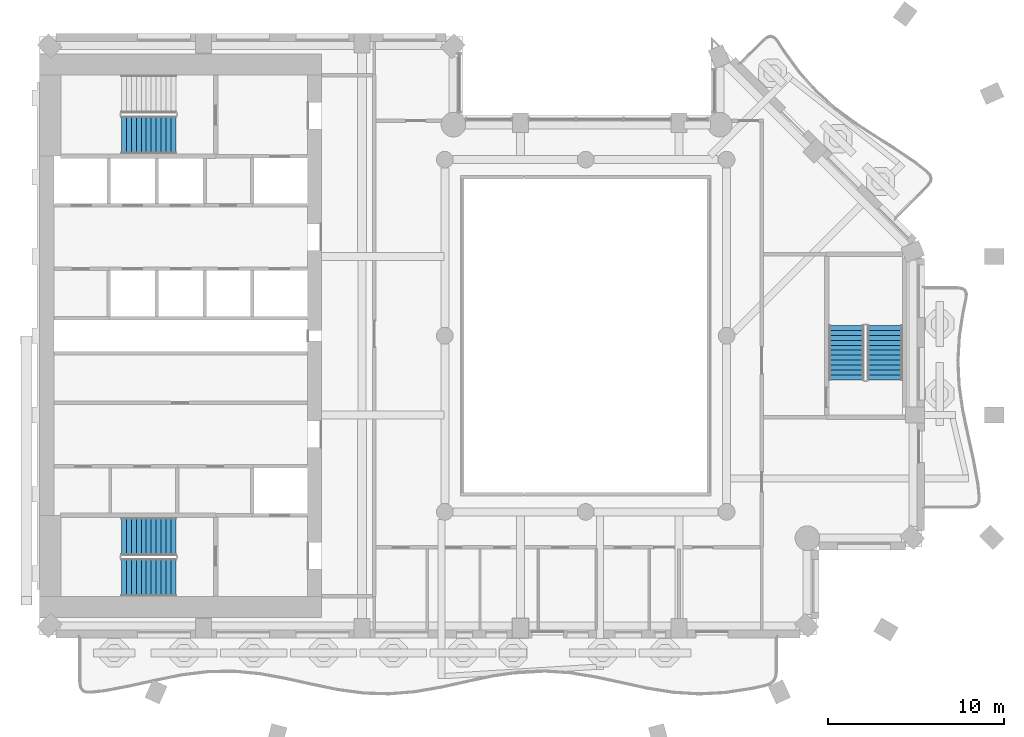
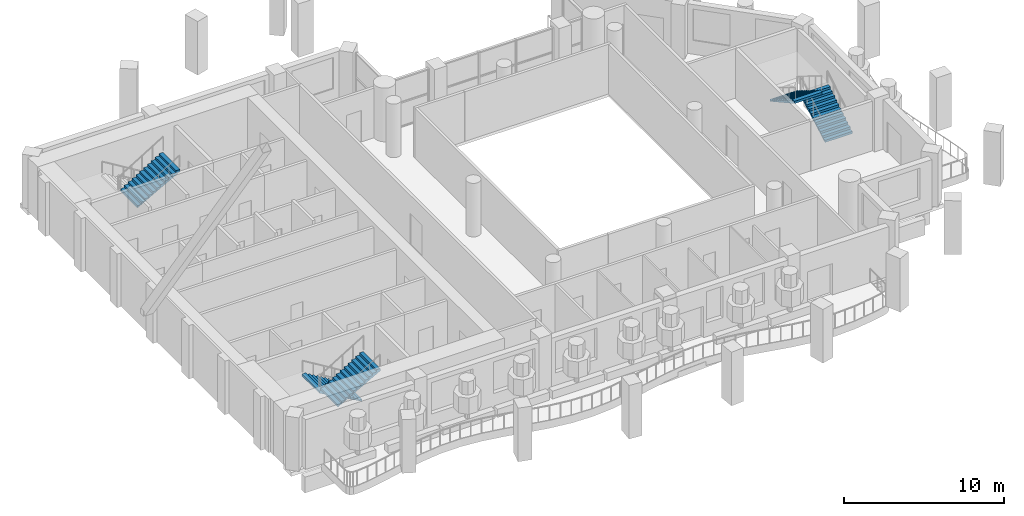
# One storey, part 9 of 16: 5 stair flights, 3 elements without a shape of their own.
"""IFC4 building model written with IfcOpenShell, lengths in metres."""

from ifc_helpers import new_model, si_unit, direction, frame, origin, place, context, subcontext, project, spatial, triangles, material, type_object, element, aggregate, save


model = new_model("IFC4")

# Units and contexts
model_context = context("Model", 3, precision=1e-05, world=origin(), true_north=direction((0.0, 1.0)))
body_context = subcontext(model_context, "Body", "Model", "MODEL_VIEW")
ifc_project = project(units=[si_unit("LENGTHUNIT", "METRE"), si_unit("AREAUNIT", "SQUARE_METRE"), si_unit("VOLUMEUNIT", "CUBIC_METRE"), si_unit("PLANEANGLEUNIT", "RADIAN"), si_unit("MASSUNIT", "GRAM", prefix="KILO")], contexts=[model_context])

# Site, building, storey
site_placement = place(None, origin())
site = spatial("IfcSite", under=ifc_project, at=site_placement, CompositionType="ELEMENT")
building_placement = place(site_placement, origin())
building = spatial("IfcBuilding", under=site, at=building_placement, Name="Cypress Arch Tower", CompositionType="ELEMENT")
storey_placement = place(building_placement, frame((0.0, 0.0, 172.800048828125)))
storey = spatial("IfcBuildingStorey", under=building, at=storey_placement, Name="L37", CompositionType="ELEMENT", Elevation=172.800048828125)

# Stair, stair flights
ifc_material_1 = material(Name="Concrete C40/50", Category="concrete")
stair_type_1 = type_object("IfcStairType", Name="Exit stair ES1708-200", PredefinedType="HALF_TURN_STAIR", material=ifc_material_1)
stair_1_placement = place(storey_placement, origin())
stair_1 = element("IfcStair", 1, at=stair_1_placement, inside=storey, type_object=stair_type_1, Name="L37 Exit stair C", PredefinedType="HALF_TURN_STAIR")
ifc_material_2 = material(Name="Concrete C40/50", Category="concrete")
stair_flight_type_1 = type_object("IfcStairFlightType", Name="Exit stair flight ES1708-200", PredefinedType="STRAIGHT", material=ifc_material_2)
stair_flight_1_placement = place(storey_placement, frame((18.0, -2.5, 0.0), z_axis=(0.0, 0.0, 1.0), x_axis=(0.0, 1.0, 0.0)))
stair_flight_1 = element("IfcStairFlight", 2, at=stair_flight_1_placement, type_object=stair_flight_type_1, Name="C flight 1", NumberOfRisers=12, NumberOfTreads=11, PredefinedType="STRAIGHT", RiserHeight=0.170833333, TreadLength=0.28, context=body_context, shape_type="Tessellation", body=[
    triangles([(0.0, -1.0, 0.0), (0.0, -1.0, 0.1708984375), (0.280029296875, -1.0, 0.1708984375), (0.280029296875, -1.0, 0.341552734375), (0.56005859375, -1.0, 0.341552734375), (0.56005859375, -1.0, 0.512451171875), (0.840087890625, -1.0, 0.512451171875), (0.840087890625, -1.0, 0.683349609375), (1.1201171875, -1.0, 0.683349609375), (1.1201171875, -1.0, 0.854248046875), (1.39990234375, -1.0, 0.854248046875), (1.39990234375, -1.0, 1.02490234375), (1.679931640625, -1.0, 1.02490234375), (1.679931640625, -1.0, 1.19580078125), (1.9599609375, -1.0, 1.19580078125), (1.9599609375, -1.0, 1.36669921875), (2.239990234375, -1.0, 1.36669921875), (2.239990234375, -1.0, 1.53759765625), (2.52001953125, -1.0, 1.53759765625), (2.52001953125, -1.0, 1.708251953125), (2.800048828125, -1.0, 1.708251953125), (2.800048828125, -1.0, 1.879150390625), (3.080078125, -1.0, 1.879150390625), (3.080078125, -1.0, 1.70361328125), (3.080078125, 1.0, 1.70361328125), (3.080078125, 1.0, 1.879150390625), (2.800048828125, 1.0, 1.879150390625), (2.800048828125, 1.0, 1.708251953125), (2.52001953125, 1.0, 1.708251953125), (2.52001953125, 1.0, 1.53759765625), (2.239990234375, 1.0, 1.53759765625), (2.239990234375, 1.0, 1.36669921875), (1.9599609375, 1.0, 1.36669921875), (1.9599609375, 1.0, 1.19580078125), (1.679931640625, 1.0, 1.19580078125), (1.679931640625, 1.0, 1.02490234375), (1.39990234375, 1.0, 1.02490234375), (1.39990234375, 1.0, 0.854248046875), (1.1201171875, 1.0, 0.854248046875), (1.1201171875, 1.0, 0.683349609375), (0.840087890625, 1.0, 0.683349609375), (0.840087890625, 1.0, 0.512451171875), (0.56005859375, 1.0, 0.512451171875), (0.56005859375, 1.0, 0.341552734375), (0.280029296875, 1.0, 0.341552734375), (0.280029296875, 1.0, 0.1708984375), (0.0, 1.0, 0.1708984375), (0.0, 1.0, 0.0), (3.080078125, 0.0, 1.879150390625), (3.080078125, 0.0, 1.70361328125), (2.800048828125, 0.0, 1.879150390625), (2.800048828125, 0.0, 1.708251953125), (2.52001953125, 0.0, 1.708251953125), (2.52001953125, 0.0, 1.53759765625), (2.239990234375, 0.0, 1.53759765625), (2.239990234375, 0.0, 1.36669921875), (1.9599609375, 0.0, 1.36669921875), (1.9599609375, 0.0, 1.19580078125), (1.679931640625, 0.0, 1.19580078125), (1.679931640625, 0.0, 1.02490234375), (1.39990234375, 0.0, 1.02490234375), (1.39990234375, 0.0, 0.854248046875), (1.1201171875, 0.0, 0.854248046875), (1.1201171875, 0.0, 0.683349609375), (0.840087890625, 0.0, 0.683349609375), (0.840087890625, 0.0, 0.512451171875), (0.56005859375, 0.0, 0.512451171875), (0.56005859375, 0.0, 0.341552734375), (0.280029296875, 0.0, 0.341552734375), (0.280029296875, 0.0, 0.1708984375), (0.0, 0.0, 0.1708984375), (0.0, 0.0, 0.0)], [[24, 23, 22], [11, 10, 9], [19, 18, 17], [17, 16, 15], [15, 14, 13], [9, 8, 7], [7, 6, 5], [3, 2, 1], [21, 20, 19], [13, 12, 11], [5, 4, 3], [24, 22, 21], [24, 21, 19], [24, 19, 17], [24, 17, 15], [24, 15, 13], [24, 13, 11], [24, 11, 9], [24, 9, 7], [24, 7, 5], [1, 24, 5], [5, 3, 1], [25, 27, 26], [38, 40, 39], [30, 32, 31], [32, 34, 33], [34, 36, 35], [40, 42, 41], [42, 44, 43], [46, 48, 47], [28, 30, 29], [36, 38, 37], [44, 46, 45], [25, 28, 27], [25, 30, 28], [25, 32, 30], [25, 34, 32], [25, 36, 34], [25, 38, 36], [25, 40, 38], [25, 42, 40], [25, 44, 42], [48, 44, 25], [44, 48, 46], [50, 49, 23], [50, 23, 24], [25, 26, 49], [25, 49, 50], [49, 51, 22], [49, 22, 23], [26, 27, 51], [26, 51, 49], [51, 52, 21], [51, 21, 22], [27, 28, 52], [27, 52, 51], [52, 53, 20], [52, 20, 21], [28, 29, 53], [28, 53, 52], [53, 54, 19], [53, 19, 20], [29, 30, 54], [29, 54, 53], [54, 55, 18], [54, 18, 19], [30, 31, 55], [30, 55, 54], [55, 56, 17], [55, 17, 18], [31, 32, 56], [31, 56, 55], [56, 57, 16], [56, 16, 17], [32, 33, 57], [32, 57, 56], [57, 58, 15], [57, 15, 16], [33, 34, 58], [33, 58, 57], [58, 59, 14], [58, 14, 15], [34, 35, 59], [34, 59, 58], [59, 60, 13], [59, 13, 14], [35, 36, 60], [35, 60, 59], [60, 61, 12], [60, 12, 13], [36, 37, 61], [36, 61, 60], [61, 62, 11], [61, 11, 12], [37, 38, 62], [37, 62, 61], [62, 63, 10], [62, 10, 11], [38, 39, 63], [38, 63, 62], [63, 64, 9], [63, 9, 10], [39, 40, 64], [39, 64, 63], [64, 65, 8], [64, 8, 9], [40, 41, 65], [40, 65, 64], [65, 66, 7], [65, 7, 8], [41, 42, 66], [41, 66, 65], [66, 67, 6], [66, 6, 7], [42, 43, 67], [42, 67, 66], [67, 68, 5], [67, 5, 6], [43, 44, 68], [43, 68, 67], [68, 69, 4], [68, 4, 5], [44, 45, 69], [44, 69, 68], [69, 70, 3], [69, 3, 4], [45, 46, 70], [45, 70, 69], [70, 71, 2], [70, 2, 3], [46, 47, 71], [46, 71, 70], [71, 72, 1], [71, 1, 2], [47, 48, 72], [47, 72, 71], [72, 50, 24], [72, 24, 1], [48, 25, 50], [48, 50, 72]], closed=True),
])
stair_flight_2_placement = place(storey_placement, frame((15.800048828125, 0.580078125, 2.050048828125), z_axis=(0.0, 0.0, 1.0), x_axis=(0.0, -1.0, 0.0)))
stair_flight_2 = element("IfcStairFlight", 3, at=stair_flight_2_placement, type_object=stair_flight_type_1, Name="C flight 2", NumberOfRisers=12, NumberOfTreads=11, PredefinedType="STRAIGHT", RiserHeight=0.170833333, TreadLength=0.28, context=body_context, shape_type="Tessellation", body=[
    triangles([(0.0, -1.0, 0.0), (0.0, -1.0, 0.1708984375), (0.280029296875, -1.0, 0.1708984375), (0.280029296875, -1.0, 0.341552734375), (0.56005859375, -1.0, 0.341552734375), (0.56005859375, -1.0, 0.512451171875), (0.840087890625, -1.0, 0.512451171875), (0.840087890625, -1.0, 0.683349609375), (1.1201171875, -1.0, 0.683349609375), (1.1201171875, -1.0, 0.854248046875), (1.39990234375, -1.0, 0.854248046875), (1.39990234375, -1.0, 1.02490234375), (1.679931640625, -1.0, 1.02490234375), (1.679931640625, -1.0, 1.19580078125), (1.9599609375, -1.0, 1.19580078125), (1.9599609375, -1.0, 1.36669921875), (2.239990234375, -1.0, 1.36669921875), (2.239990234375, -1.0, 1.53759765625), (2.52001953125, -1.0, 1.53759765625), (2.52001953125, -1.0, 1.708251953125), (2.800048828125, -1.0, 1.708251953125), (2.800048828125, -1.0, 1.879150390625), (3.080078125, -1.0, 1.879150390625), (3.080078125, -1.0, 1.70361328125), (3.080078125, 1.0, 1.70361328125), (3.080078125, 1.0, 1.879150390625), (2.800048828125, 1.0, 1.879150390625), (2.800048828125, 1.0, 1.708251953125), (2.52001953125, 1.0, 1.708251953125), (2.52001953125, 1.0, 1.53759765625), (2.239990234375, 1.0, 1.53759765625), (2.239990234375, 1.0, 1.36669921875), (1.9599609375, 1.0, 1.36669921875), (1.9599609375, 1.0, 1.19580078125), (1.679931640625, 1.0, 1.19580078125), (1.679931640625, 1.0, 1.02490234375), (1.39990234375, 1.0, 1.02490234375), (1.39990234375, 1.0, 0.854248046875), (1.1201171875, 1.0, 0.854248046875), (1.1201171875, 1.0, 0.683349609375), (0.840087890625, 1.0, 0.683349609375), (0.840087890625, 1.0, 0.512451171875), (0.56005859375, 1.0, 0.512451171875), (0.56005859375, 1.0, 0.341552734375), (0.280029296875, 1.0, 0.341552734375), (0.280029296875, 1.0, 0.1708984375), (0.0, 1.0, 0.1708984375), (0.0, 1.0, 0.0), (3.080078125, 0.0, 1.879150390625), (3.080078125, 0.0, 1.70361328125), (2.800048828125, 0.0, 1.879150390625), (2.800048828125, 0.0, 1.708251953125), (2.52001953125, 0.0, 1.708251953125), (2.52001953125, 0.0, 1.53759765625), (2.239990234375, 0.0, 1.53759765625), (2.239990234375, 0.0, 1.36669921875), (1.9599609375, 0.0, 1.36669921875), (1.9599609375, 0.0, 1.19580078125), (1.679931640625, 0.0, 1.19580078125), (1.679931640625, 0.0, 1.02490234375), (1.39990234375, 0.0, 1.02490234375), (1.39990234375, 0.0, 0.854248046875), (1.1201171875, 0.0, 0.854248046875), (1.1201171875, 0.0, 0.683349609375), (0.840087890625, 0.0, 0.683349609375), (0.840087890625, 0.0, 0.512451171875), (0.56005859375, 0.0, 0.512451171875), (0.56005859375, 0.0, 0.341552734375), (0.280029296875, 0.0, 0.341552734375), (0.280029296875, 0.0, 0.1708984375), (0.0, 0.0, 0.1708984375), (0.0, 0.0, 0.0)], [[24, 23, 22], [11, 10, 9], [19, 18, 17], [17, 16, 15], [15, 14, 13], [9, 8, 7], [7, 6, 5], [3, 2, 1], [21, 20, 19], [13, 12, 11], [5, 4, 3], [24, 22, 21], [24, 21, 19], [24, 19, 17], [24, 17, 15], [24, 15, 13], [24, 13, 11], [24, 11, 9], [24, 9, 7], [24, 7, 5], [1, 24, 5], [5, 3, 1], [25, 27, 26], [38, 40, 39], [30, 32, 31], [32, 34, 33], [34, 36, 35], [40, 42, 41], [42, 44, 43], [46, 48, 47], [28, 30, 29], [36, 38, 37], [44, 46, 45], [25, 28, 27], [25, 30, 28], [25, 32, 30], [25, 34, 32], [25, 36, 34], [25, 38, 36], [25, 40, 38], [25, 42, 40], [25, 44, 42], [48, 44, 25], [44, 48, 46], [50, 49, 23], [50, 23, 24], [25, 26, 49], [25, 49, 50], [49, 51, 22], [49, 22, 23], [26, 27, 51], [26, 51, 49], [51, 52, 21], [51, 21, 22], [27, 28, 52], [27, 52, 51], [52, 53, 20], [52, 20, 21], [28, 29, 53], [28, 53, 52], [53, 54, 19], [53, 19, 20], [29, 30, 54], [29, 54, 53], [54, 55, 18], [54, 18, 19], [30, 31, 55], [30, 55, 54], [55, 56, 17], [55, 17, 18], [31, 32, 56], [31, 56, 55], [56, 57, 16], [56, 16, 17], [32, 33, 57], [32, 57, 56], [57, 58, 15], [57, 15, 16], [33, 34, 58], [33, 58, 57], [58, 59, 14], [58, 14, 15], [34, 35, 59], [34, 59, 58], [59, 60, 13], [59, 13, 14], [35, 36, 60], [35, 60, 59], [60, 61, 12], [60, 12, 13], [36, 37, 61], [36, 61, 60], [61, 62, 11], [61, 11, 12], [37, 38, 62], [37, 62, 61], [62, 63, 10], [62, 10, 11], [38, 39, 63], [38, 63, 62], [63, 64, 9], [63, 9, 10], [39, 40, 64], [39, 64, 63], [64, 65, 8], [64, 8, 9], [40, 41, 65], [40, 65, 64], [65, 66, 7], [65, 7, 8], [41, 42, 66], [41, 66, 65], [66, 67, 6], [66, 6, 7], [42, 43, 67], [42, 67, 66], [67, 68, 5], [67, 5, 6], [43, 44, 68], [43, 68, 67], [68, 69, 4], [68, 4, 5], [44, 45, 69], [44, 69, 68], [69, 70, 3], [69, 3, 4], [45, 46, 70], [45, 70, 69], [70, 71, 2], [70, 2, 3], [46, 47, 71], [46, 71, 70], [71, 72, 1], [71, 1, 2], [47, 48, 72], [47, 72, 71], [72, 50, 24], [72, 24, 1], [48, 25, 50], [48, 50, 72]], closed=True),
])
aggregate(stair_1, [stair_flight_1, stair_flight_2])

ifc_material_3 = material(Name="Concrete C40/50", Category="concrete")
stair_type_2 = type_object("IfcStairType", Name="Exit stair ES1708-215", PredefinedType="HALF_TURN_STAIR", material=ifc_material_3)
stair_2_placement = place(storey_placement, origin())
stair_2 = element("IfcStair", 4, at=stair_2_placement, inside=storey, type_object=stair_type_2, Name="L37 Exit stair A", PredefinedType="HALF_TURN_STAIR")
ifc_material_4 = material(Name="Concrete C40/50", Category="concrete")
stair_flight_type_2 = type_object("IfcStairFlightType", Name="Exit stair flight ES1708-215", PredefinedType="STRAIGHT", material=ifc_material_4)
stair_flight_3_placement = place(storey_placement, frame((-22.27490234375, -11.39990234375, 0.0), z_axis=(0.0, 0.0, 1.0), x_axis=(-1.0, 0.0, 0.0)))
stair_flight_3 = element("IfcStairFlight", 5, at=stair_flight_3_placement, type_object=stair_flight_type_2, Name="A flight 1", NumberOfRisers=12, NumberOfTreads=11, PredefinedType="STRAIGHT", RiserHeight=0.170833333, TreadLength=0.28, context=body_context, shape_type="Tessellation", body=[
    triangles([(0.0, -1.074951171875, 0.0), (0.000244140625, -1.074951171875, 0.01904296875), (0.000244140625, -1.074951171875, 0.0380859375), (0.00048828125, -1.074951171875, 0.056884765625), (0.00048828125, -1.074951171875, 0.075927734375), (0.00048828125, -1.074951171875, 0.094970703125), (0.00048828125, -1.074951171875, 0.114013671875), (0.000244140625, -1.074951171875, 0.1328125), (0.000244140625, -1.074951171875, 0.15185546875), (0.0, -1.074951171875, 0.1708984375), (0.280029296875, -1.074951171875, 0.1708984375), (0.280029296875, -1.074951171875, 0.341552734375), (0.56005859375, -1.074951171875, 0.341552734375), (0.56005859375, -1.074951171875, 0.512451171875), (0.840087890625, -1.074951171875, 0.512451171875), (0.840087890625, -1.074951171875, 0.683349609375), (1.1201171875, -1.074951171875, 0.683349609375), (1.1201171875, -1.074951171875, 0.854248046875), (1.39990234375, -1.074951171875, 0.854248046875), (1.39990234375, -1.074951171875, 1.02490234375), (1.679931640625, -1.074951171875, 1.02490234375), (1.679931640625, -1.074951171875, 1.19580078125), (1.9599609375, -1.074951171875, 1.19580078125), (1.9599609375, -1.074951171875, 1.36669921875), (2.239990234375, -1.074951171875, 1.36669921875), (2.239990234375, -1.074951171875, 1.53759765625), (2.52001953125, -1.074951171875, 1.53759765625), (2.52001953125, -1.074951171875, 1.708251953125), (2.800048828125, -1.074951171875, 1.708251953125), (2.800048828125, -1.074951171875, 1.879150390625), (3.080078125, -1.074951171875, 1.879150390625), (3.079833984375, -1.074951171875, 1.859619140625), (3.079833984375, -1.074951171875, 1.840087890625), (3.07958984375, -1.074951171875, 1.820556640625), (3.07958984375, -1.074951171875, 1.801025390625), (3.07958984375, -1.074951171875, 1.78173828125), (3.07958984375, -1.074951171875, 1.76220703125), (3.079833984375, -1.074951171875, 1.74267578125), (3.079833984375, -1.074951171875, 1.72314453125), (3.080078125, -1.074951171875, 1.70361328125), (3.080078125, 1.074951171875, 1.70361328125), (3.079833984375, 1.074951171875, 1.72314453125), (3.079833984375, 1.074951171875, 1.74267578125), (3.07958984375, 1.074951171875, 1.76220703125), (3.07958984375, 1.074951171875, 1.78173828125), (3.07958984375, 1.074951171875, 1.801025390625), (3.07958984375, 1.074951171875, 1.820556640625), (3.079833984375, 1.074951171875, 1.840087890625), (3.079833984375, 1.074951171875, 1.859619140625), (3.080078125, 1.074951171875, 1.879150390625), (2.800048828125, 1.074951171875, 1.879150390625), (2.800048828125, 1.074951171875, 1.708251953125), (2.52001953125, 1.074951171875, 1.708251953125), (2.52001953125, 1.074951171875, 1.53759765625), (2.239990234375, 1.074951171875, 1.53759765625), (2.239990234375, 1.074951171875, 1.36669921875), (1.9599609375, 1.074951171875, 1.36669921875), (1.9599609375, 1.074951171875, 1.19580078125), (1.679931640625, 1.074951171875, 1.19580078125), (1.679931640625, 1.074951171875, 1.02490234375), (1.39990234375, 1.074951171875, 1.02490234375), (1.39990234375, 1.074951171875, 0.854248046875), (1.1201171875, 1.074951171875, 0.854248046875), (1.1201171875, 1.074951171875, 0.683349609375), (0.840087890625, 1.074951171875, 0.683349609375), (0.840087890625, 1.074951171875, 0.512451171875), (0.56005859375, 1.074951171875, 0.512451171875), (0.56005859375, 1.074951171875, 0.341552734375), (0.280029296875, 1.074951171875, 0.341552734375), (0.280029296875, 1.074951171875, 0.1708984375), (0.0, 1.074951171875, 0.1708984375), (0.000244140625, 1.074951171875, 0.15185546875), (0.000244140625, 1.074951171875, 0.1328125), (0.00048828125, 1.074951171875, 0.114013671875), (0.00048828125, 1.074951171875, 0.094970703125), (0.00048828125, 1.074951171875, 0.075927734375), (0.00048828125, 1.074951171875, 0.056884765625), (0.000244140625, 1.074951171875, 0.0380859375), (0.000244140625, 1.074951171875, 0.01904296875), (0.0, 1.074951171875, 0.0)], [[40, 39, 30], [39, 38, 30], [38, 37, 30], [37, 36, 30], [36, 35, 30], [35, 34, 30], [34, 33, 30], [33, 32, 30], [32, 31, 30], [19, 18, 17], [27, 26, 25], [25, 24, 23], [23, 22, 21], [17, 16, 15], [15, 14, 13], [10, 9, 11], [9, 8, 11], [8, 7, 11], [7, 6, 11], [6, 5, 11], [5, 4, 11], [4, 3, 11], [3, 2, 11], [2, 1, 11], [29, 28, 27], [21, 20, 19], [13, 12, 11], [40, 30, 29], [40, 29, 27], [40, 27, 25], [40, 25, 23], [40, 23, 21], [40, 21, 19], [40, 19, 17], [40, 17, 15], [40, 15, 13], [1, 40, 13], [13, 11, 1], [41, 51, 42], [42, 51, 43], [43, 51, 44], [44, 51, 45], [45, 51, 46], [46, 51, 47], [47, 51, 48], [48, 51, 49], [49, 51, 50], [62, 64, 63], [54, 56, 55], [56, 58, 57], [58, 60, 59], [64, 66, 65], [66, 68, 67], [71, 70, 72], [72, 70, 73], [73, 70, 74], [74, 70, 75], [75, 70, 76], [76, 70, 77], [77, 70, 78], [78, 70, 79], [79, 70, 80], [52, 54, 53], [60, 62, 61], [68, 70, 69], [41, 52, 51], [41, 54, 52], [41, 56, 54], [41, 58, 56], [41, 60, 58], [41, 62, 60], [41, 64, 62], [41, 66, 64], [41, 68, 66], [80, 68, 41], [68, 80, 70], [41, 42, 39], [41, 39, 40], [42, 43, 38], [42, 38, 39], [43, 44, 37], [43, 37, 38], [44, 45, 36], [44, 36, 37], [45, 46, 35], [45, 35, 36], [46, 47, 34], [46, 34, 35], [47, 48, 33], [47, 33, 34], [48, 49, 32], [48, 32, 33], [49, 50, 31], [49, 31, 32], [50, 51, 30], [50, 30, 31], [51, 52, 29], [51, 29, 30], [52, 53, 28], [52, 28, 29], [53, 54, 27], [53, 27, 28], [54, 55, 26], [54, 26, 27], [55, 56, 25], [55, 25, 26], [56, 57, 24], [56, 24, 25], [57, 58, 23], [57, 23, 24], [58, 59, 22], [58, 22, 23], [59, 60, 21], [59, 21, 22], [60, 61, 20], [60, 20, 21], [61, 62, 19], [61, 19, 20], [62, 63, 18], [62, 18, 19], [63, 64, 17], [63, 17, 18], [64, 65, 16], [64, 16, 17], [65, 66, 15], [65, 15, 16], [66, 67, 14], [66, 14, 15], [67, 68, 13], [67, 13, 14], [68, 69, 12], [68, 12, 13], [69, 70, 11], [69, 11, 12], [70, 71, 10], [70, 10, 11], [71, 72, 9], [71, 9, 10], [72, 73, 8], [72, 8, 9], [73, 74, 7], [73, 7, 8], [74, 75, 6], [74, 6, 7], [75, 76, 5], [75, 5, 6], [76, 77, 4], [76, 4, 5], [77, 78, 3], [77, 3, 4], [78, 79, 2], [78, 2, 3], [79, 80, 1], [79, 1, 2], [80, 41, 40], [80, 40, 1]], closed=True),
])
stair_flight_4_placement = place(storey_placement, frame((-25.35498046875, -13.72509765625, 2.050048828125), z_axis=(0.0, 0.0, 1.0), x_axis=(1.0, 0.0, 0.0)))
stair_flight_4 = element("IfcStairFlight", 6, at=stair_flight_4_placement, type_object=stair_flight_type_2, Name="A flight 2", NumberOfRisers=12, NumberOfTreads=11, PredefinedType="STRAIGHT", RiserHeight=0.170833333, TreadLength=0.28, context=body_context, shape_type="Tessellation", body=[
    triangles([(0.0, -1.074951171875, 0.0), (0.000244140625, -1.074951171875, 0.01904296875), (0.000244140625, -1.074951171875, 0.0380859375), (0.00048828125, -1.074951171875, 0.056884765625), (0.00048828125, -1.074951171875, 0.075927734375), (0.00048828125, -1.074951171875, 0.094970703125), (0.00048828125, -1.074951171875, 0.114013671875), (0.000244140625, -1.074951171875, 0.1328125), (0.000244140625, -1.074951171875, 0.15185546875), (0.0, -1.074951171875, 0.1708984375), (0.280029296875, -1.074951171875, 0.1708984375), (0.280029296875, -1.074951171875, 0.341552734375), (0.56005859375, -1.074951171875, 0.341552734375), (0.56005859375, -1.074951171875, 0.512451171875), (0.840087890625, -1.074951171875, 0.512451171875), (0.840087890625, -1.074951171875, 0.683349609375), (1.1201171875, -1.074951171875, 0.683349609375), (1.1201171875, -1.074951171875, 0.854248046875), (1.39990234375, -1.074951171875, 0.854248046875), (1.39990234375, -1.074951171875, 1.02490234375), (1.679931640625, -1.074951171875, 1.02490234375), (1.679931640625, -1.074951171875, 1.19580078125), (1.9599609375, -1.074951171875, 1.19580078125), (1.9599609375, -1.074951171875, 1.36669921875), (2.239990234375, -1.074951171875, 1.36669921875), (2.239990234375, -1.074951171875, 1.53759765625), (2.52001953125, -1.074951171875, 1.53759765625), (2.52001953125, -1.074951171875, 1.708251953125), (2.800048828125, -1.074951171875, 1.708251953125), (2.800048828125, -1.074951171875, 1.879150390625), (3.080078125, -1.074951171875, 1.879150390625), (3.079833984375, -1.074951171875, 1.859619140625), (3.079833984375, -1.074951171875, 1.840087890625), (3.07958984375, -1.074951171875, 1.820556640625), (3.07958984375, -1.074951171875, 1.801025390625), (3.07958984375, -1.074951171875, 1.78173828125), (3.07958984375, -1.074951171875, 1.76220703125), (3.079833984375, -1.074951171875, 1.74267578125), (3.079833984375, -1.074951171875, 1.72314453125), (3.080078125, -1.074951171875, 1.70361328125), (3.080078125, 1.074951171875, 1.70361328125), (3.079833984375, 1.074951171875, 1.72314453125), (3.079833984375, 1.074951171875, 1.74267578125), (3.07958984375, 1.074951171875, 1.76220703125), (3.07958984375, 1.074951171875, 1.78173828125), (3.07958984375, 1.074951171875, 1.801025390625), (3.07958984375, 1.074951171875, 1.820556640625), (3.079833984375, 1.074951171875, 1.840087890625), (3.079833984375, 1.074951171875, 1.859619140625), (3.080078125, 1.074951171875, 1.879150390625), (2.800048828125, 1.074951171875, 1.879150390625), (2.800048828125, 1.074951171875, 1.708251953125), (2.52001953125, 1.074951171875, 1.708251953125), (2.52001953125, 1.074951171875, 1.53759765625), (2.239990234375, 1.074951171875, 1.53759765625), (2.239990234375, 1.074951171875, 1.36669921875), (1.9599609375, 1.074951171875, 1.36669921875), (1.9599609375, 1.074951171875, 1.19580078125), (1.679931640625, 1.074951171875, 1.19580078125), (1.679931640625, 1.074951171875, 1.02490234375), (1.39990234375, 1.074951171875, 1.02490234375), (1.39990234375, 1.074951171875, 0.854248046875), (1.1201171875, 1.074951171875, 0.854248046875), (1.1201171875, 1.074951171875, 0.683349609375), (0.840087890625, 1.074951171875, 0.683349609375), (0.840087890625, 1.074951171875, 0.512451171875), (0.56005859375, 1.074951171875, 0.512451171875), (0.56005859375, 1.074951171875, 0.341552734375), (0.280029296875, 1.074951171875, 0.341552734375), (0.280029296875, 1.074951171875, 0.1708984375), (0.0, 1.074951171875, 0.1708984375), (0.000244140625, 1.074951171875, 0.15185546875), (0.000244140625, 1.074951171875, 0.1328125), (0.00048828125, 1.074951171875, 0.114013671875), (0.00048828125, 1.074951171875, 0.094970703125), (0.00048828125, 1.074951171875, 0.075927734375), (0.00048828125, 1.074951171875, 0.056884765625), (0.000244140625, 1.074951171875, 0.0380859375), (0.000244140625, 1.074951171875, 0.01904296875), (0.0, 1.074951171875, 0.0)], [[40, 39, 30], [39, 38, 30], [38, 37, 30], [37, 36, 30], [36, 35, 30], [35, 34, 30], [34, 33, 30], [33, 32, 30], [32, 31, 30], [19, 18, 17], [27, 26, 25], [25, 24, 23], [23, 22, 21], [17, 16, 15], [15, 14, 13], [10, 9, 11], [9, 8, 11], [8, 7, 11], [7, 6, 11], [6, 5, 11], [5, 4, 11], [4, 3, 11], [3, 2, 11], [2, 1, 11], [29, 28, 27], [21, 20, 19], [13, 12, 11], [40, 30, 29], [40, 29, 27], [40, 27, 25], [40, 25, 23], [40, 23, 21], [40, 21, 19], [40, 19, 17], [40, 17, 15], [40, 15, 13], [1, 40, 13], [13, 11, 1], [41, 51, 42], [42, 51, 43], [43, 51, 44], [44, 51, 45], [45, 51, 46], [46, 51, 47], [47, 51, 48], [48, 51, 49], [49, 51, 50], [62, 64, 63], [54, 56, 55], [56, 58, 57], [58, 60, 59], [64, 66, 65], [66, 68, 67], [71, 70, 72], [72, 70, 73], [73, 70, 74], [74, 70, 75], [75, 70, 76], [76, 70, 77], [77, 70, 78], [78, 70, 79], [79, 70, 80], [52, 54, 53], [60, 62, 61], [68, 70, 69], [41, 52, 51], [41, 54, 52], [41, 56, 54], [41, 58, 56], [41, 60, 58], [41, 62, 60], [41, 64, 62], [41, 66, 64], [41, 68, 66], [80, 68, 41], [68, 80, 70], [41, 42, 39], [41, 39, 40], [42, 43, 38], [42, 38, 39], [43, 44, 37], [43, 37, 38], [44, 45, 36], [44, 36, 37], [45, 46, 35], [45, 35, 36], [46, 47, 34], [46, 34, 35], [47, 48, 33], [47, 33, 34], [48, 49, 32], [48, 32, 33], [49, 50, 31], [49, 31, 32], [50, 51, 30], [50, 30, 31], [51, 52, 29], [51, 29, 30], [52, 53, 28], [52, 28, 29], [53, 54, 27], [53, 27, 28], [54, 55, 26], [54, 26, 27], [55, 56, 25], [55, 25, 26], [56, 57, 24], [56, 24, 25], [57, 58, 23], [57, 23, 24], [58, 59, 22], [58, 22, 23], [59, 60, 21], [59, 21, 22], [60, 61, 20], [60, 20, 21], [61, 62, 19], [61, 19, 20], [62, 63, 18], [62, 18, 19], [63, 64, 17], [63, 17, 18], [64, 65, 16], [64, 16, 17], [65, 66, 15], [65, 15, 16], [66, 67, 14], [66, 14, 15], [67, 68, 13], [67, 13, 14], [68, 69, 12], [68, 12, 13], [69, 70, 11], [69, 11, 12], [70, 71, 10], [70, 10, 11], [71, 72, 9], [71, 9, 10], [72, 73, 8], [72, 8, 9], [73, 74, 7], [73, 7, 8], [74, 75, 6], [74, 6, 7], [75, 76, 5], [75, 5, 6], [76, 77, 4], [76, 4, 5], [77, 78, 3], [77, 3, 4], [78, 79, 2], [78, 2, 3], [79, 80, 1], [79, 1, 2], [80, 41, 40], [80, 40, 1]], closed=True),
])
aggregate(stair_2, [stair_flight_3, stair_flight_4])

# Stair, stair flight
stair_3_placement = place(storey_placement, origin())
stair_3 = element("IfcStair", 7, at=stair_3_placement, inside=storey, type_object=stair_type_2, Name="L37 Exit stair B", PredefinedType="HALF_TURN_STAIR")
stair_flight_5_placement = place(storey_placement, frame((-25.35498046875, 11.39990234375, 2.050048828125), z_axis=(0.0, 0.0, 1.0), x_axis=(1.0, 0.0, 0.0)))
stair_flight_5 = element("IfcStairFlight", 8, at=stair_flight_5_placement, type_object=stair_flight_type_2, Name="B flight 2", NumberOfRisers=12, NumberOfTreads=11, PredefinedType="STRAIGHT", RiserHeight=0.170833333, TreadLength=0.28, context=body_context, shape_type="Tessellation", body=[
    triangles([(0.0, -1.074951171875, 0.0), (0.000244140625, -1.074951171875, 0.01904296875), (0.000244140625, -1.074951171875, 0.0380859375), (0.00048828125, -1.074951171875, 0.056884765625), (0.00048828125, -1.074951171875, 0.075927734375), (0.00048828125, -1.074951171875, 0.094970703125), (0.00048828125, -1.074951171875, 0.114013671875), (0.000244140625, -1.074951171875, 0.1328125), (0.000244140625, -1.074951171875, 0.15185546875), (0.0, -1.074951171875, 0.1708984375), (0.280029296875, -1.074951171875, 0.1708984375), (0.280029296875, -1.074951171875, 0.341552734375), (0.56005859375, -1.074951171875, 0.341552734375), (0.56005859375, -1.074951171875, 0.512451171875), (0.840087890625, -1.074951171875, 0.512451171875), (0.840087890625, -1.074951171875, 0.683349609375), (1.1201171875, -1.074951171875, 0.683349609375), (1.1201171875, -1.074951171875, 0.854248046875), (1.39990234375, -1.074951171875, 0.854248046875), (1.39990234375, -1.074951171875, 1.02490234375), (1.679931640625, -1.074951171875, 1.02490234375), (1.679931640625, -1.074951171875, 1.19580078125), (1.9599609375, -1.074951171875, 1.19580078125), (1.9599609375, -1.074951171875, 1.36669921875), (2.239990234375, -1.074951171875, 1.36669921875), (2.239990234375, -1.074951171875, 1.53759765625), (2.52001953125, -1.074951171875, 1.53759765625), (2.52001953125, -1.074951171875, 1.708251953125), (2.800048828125, -1.074951171875, 1.708251953125), (2.800048828125, -1.074951171875, 1.879150390625), (3.080078125, -1.074951171875, 1.879150390625), (3.079833984375, -1.074951171875, 1.859619140625), (3.079833984375, -1.074951171875, 1.840087890625), (3.07958984375, -1.074951171875, 1.820556640625), (3.07958984375, -1.074951171875, 1.801025390625), (3.07958984375, -1.074951171875, 1.78173828125), (3.07958984375, -1.074951171875, 1.76220703125), (3.079833984375, -1.074951171875, 1.74267578125), (3.079833984375, -1.074951171875, 1.72314453125), (3.080078125, -1.074951171875, 1.70361328125), (3.080078125, 1.074951171875, 1.70361328125), (3.079833984375, 1.074951171875, 1.72314453125), (3.079833984375, 1.074951171875, 1.74267578125), (3.07958984375, 1.074951171875, 1.76220703125), (3.07958984375, 1.074951171875, 1.78173828125), (3.07958984375, 1.074951171875, 1.801025390625), (3.07958984375, 1.074951171875, 1.820556640625), (3.079833984375, 1.074951171875, 1.840087890625), (3.079833984375, 1.074951171875, 1.859619140625), (3.080078125, 1.074951171875, 1.879150390625), (2.800048828125, 1.074951171875, 1.879150390625), (2.800048828125, 1.074951171875, 1.708251953125), (2.52001953125, 1.074951171875, 1.708251953125), (2.52001953125, 1.074951171875, 1.53759765625), (2.239990234375, 1.074951171875, 1.53759765625), (2.239990234375, 1.074951171875, 1.36669921875), (1.9599609375, 1.074951171875, 1.36669921875), (1.9599609375, 1.074951171875, 1.19580078125), (1.679931640625, 1.074951171875, 1.19580078125), (1.679931640625, 1.074951171875, 1.02490234375), (1.39990234375, 1.074951171875, 1.02490234375), (1.39990234375, 1.074951171875, 0.854248046875), (1.1201171875, 1.074951171875, 0.854248046875), (1.1201171875, 1.074951171875, 0.683349609375), (0.840087890625, 1.074951171875, 0.683349609375), (0.840087890625, 1.074951171875, 0.512451171875), (0.56005859375, 1.074951171875, 0.512451171875), (0.56005859375, 1.074951171875, 0.341552734375), (0.280029296875, 1.074951171875, 0.341552734375), (0.280029296875, 1.074951171875, 0.1708984375), (0.0, 1.074951171875, 0.1708984375), (0.000244140625, 1.074951171875, 0.15185546875), (0.000244140625, 1.074951171875, 0.1328125), (0.00048828125, 1.074951171875, 0.114013671875), (0.00048828125, 1.074951171875, 0.094970703125), (0.00048828125, 1.074951171875, 0.075927734375), (0.00048828125, 1.074951171875, 0.056884765625), (0.000244140625, 1.074951171875, 0.0380859375), (0.000244140625, 1.074951171875, 0.01904296875), (0.0, 1.074951171875, 0.0)], [[40, 39, 30], [39, 38, 30], [38, 37, 30], [37, 36, 30], [36, 35, 30], [35, 34, 30], [34, 33, 30], [33, 32, 30], [32, 31, 30], [19, 18, 17], [27, 26, 25], [25, 24, 23], [23, 22, 21], [17, 16, 15], [15, 14, 13], [10, 9, 11], [9, 8, 11], [8, 7, 11], [7, 6, 11], [6, 5, 11], [5, 4, 11], [4, 3, 11], [3, 2, 11], [2, 1, 11], [29, 28, 27], [21, 20, 19], [13, 12, 11], [40, 30, 29], [40, 29, 27], [40, 27, 25], [40, 25, 23], [40, 23, 21], [40, 21, 19], [40, 19, 17], [40, 17, 15], [40, 15, 13], [1, 40, 13], [13, 11, 1], [41, 51, 42], [42, 51, 43], [43, 51, 44], [44, 51, 45], [45, 51, 46], [46, 51, 47], [47, 51, 48], [48, 51, 49], [49, 51, 50], [62, 64, 63], [54, 56, 55], [56, 58, 57], [58, 60, 59], [64, 66, 65], [66, 68, 67], [71, 70, 72], [72, 70, 73], [73, 70, 74], [74, 70, 75], [75, 70, 76], [76, 70, 77], [77, 70, 78], [78, 70, 79], [79, 70, 80], [52, 54, 53], [60, 62, 61], [68, 70, 69], [41, 52, 51], [41, 54, 52], [41, 56, 54], [41, 58, 56], [41, 60, 58], [41, 62, 60], [41, 64, 62], [41, 66, 64], [41, 68, 66], [80, 68, 41], [68, 80, 70], [41, 42, 39], [41, 39, 40], [42, 43, 38], [42, 38, 39], [43, 44, 37], [43, 37, 38], [44, 45, 36], [44, 36, 37], [45, 46, 35], [45, 35, 36], [46, 47, 34], [46, 34, 35], [47, 48, 33], [47, 33, 34], [48, 49, 32], [48, 32, 33], [49, 50, 31], [49, 31, 32], [50, 51, 30], [50, 30, 31], [51, 52, 29], [51, 29, 30], [52, 53, 28], [52, 28, 29], [53, 54, 27], [53, 27, 28], [54, 55, 26], [54, 26, 27], [55, 56, 25], [55, 25, 26], [56, 57, 24], [56, 24, 25], [57, 58, 23], [57, 23, 24], [58, 59, 22], [58, 22, 23], [59, 60, 21], [59, 21, 22], [60, 61, 20], [60, 20, 21], [61, 62, 19], [61, 19, 20], [62, 63, 18], [62, 18, 19], [63, 64, 17], [63, 17, 18], [64, 65, 16], [64, 16, 17], [65, 66, 15], [65, 15, 16], [66, 67, 14], [66, 14, 15], [67, 68, 13], [67, 13, 14], [68, 69, 12], [68, 12, 13], [69, 70, 11], [69, 11, 12], [70, 71, 10], [70, 10, 11], [71, 72, 9], [71, 9, 10], [72, 73, 8], [72, 8, 9], [73, 74, 7], [73, 7, 8], [74, 75, 6], [74, 6, 7], [75, 76, 5], [75, 5, 6], [76, 77, 4], [76, 4, 5], [77, 78, 3], [77, 3, 4], [78, 79, 2], [78, 2, 3], [79, 80, 1], [79, 1, 2], [80, 41, 40], [80, 40, 1]], closed=True),
])
aggregate(stair_3, [stair_flight_5])

save(model, "model.ifc")
